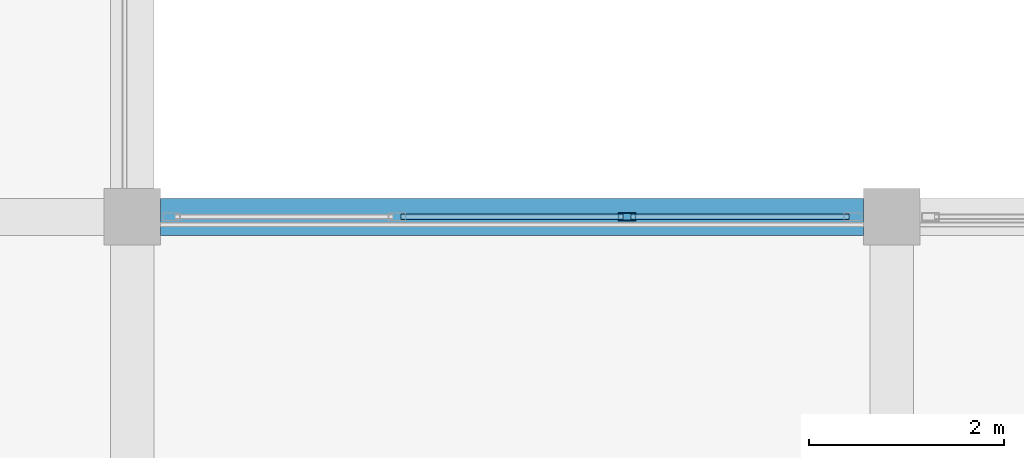
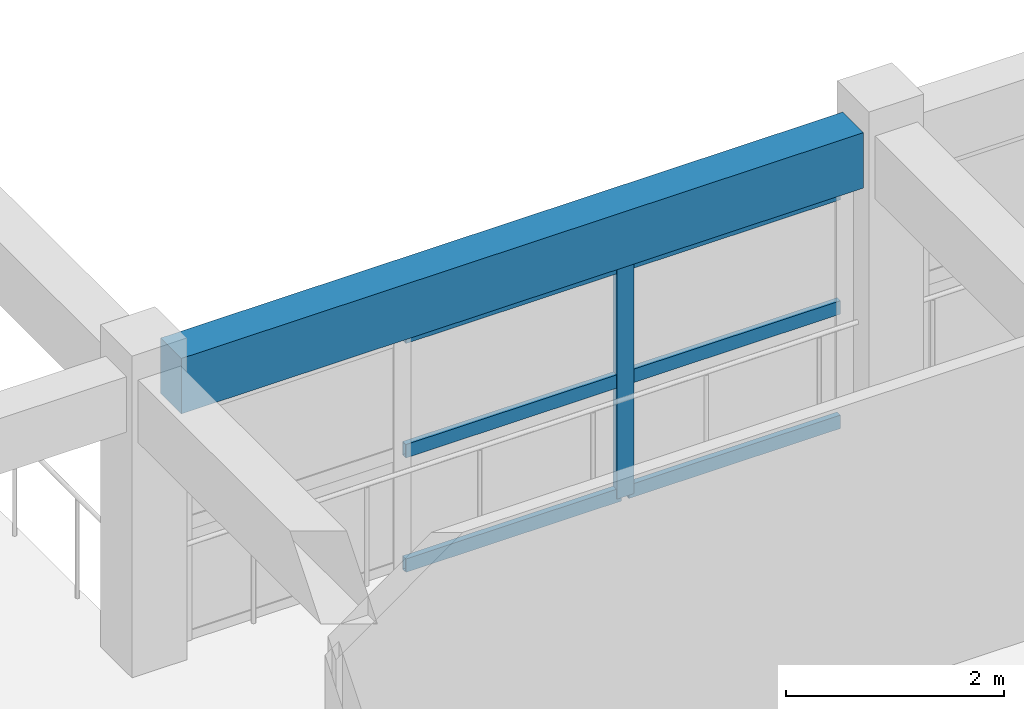
# One storey, part 59 of 101: 7 members, 1 beam, 1 element without a shape of its own.
"""IFC4 building model written with IfcOpenShell, lengths in metres."""

from ifc_helpers import new_model, si_unit, direction, frame, origin, origin_2d, place, context, subcontext, project, spatial, rectangle, hollow_rectangle, extrude, material, layer, layer_set, material_profile, profile_set, type_object, element, aggregate, save


model = new_model("IFC4")

# Units and contexts
model_context = context("Model", 3, precision=1e-05, world=origin(), true_north=direction((0.0, 1.0)))
body_context = subcontext(model_context, "Body", "Model", "MODEL_VIEW")
ifc_project = project(units=[si_unit("LENGTHUNIT", "METRE"), si_unit("AREAUNIT", "SQUARE_METRE"), si_unit("VOLUMEUNIT", "CUBIC_METRE"), si_unit("PLANEANGLEUNIT", "RADIAN"), si_unit("MASSUNIT", "GRAM", prefix="KILO")], contexts=[model_context])

# Site, building, storey
site_placement = place(None, origin())
site = spatial("IfcSite", under=ifc_project, at=site_placement, CompositionType="ELEMENT")
building_placement = place(site_placement, origin())
building = spatial("IfcBuilding", under=site, at=building_placement, Name="Zizhar Promenade General Hospital", CompositionType="ELEMENT")
storey_placement = place(building_placement, frame((0.0, 0.0, 14.39990234375)))
storey = spatial("IfcBuildingStorey", under=building, at=storey_placement, Name="L03", CompositionType="ELEMENT", Elevation=14.39990234375)

# Beam
ifc_material_1 = material(Name="Concrete C35/45", Category="concrete")
ifc_material_profile_1 = material_profile(ifc_material_1, rectangle(XDim=0.3798828125, YDim=0.6201171875, at=origin_2d()))
ifc_profile_set_1 = profile_set([ifc_material_profile_1], Name="Concrete C35/45")
beam_type = type_object("IfcBeamType", Name="BM-RC-380x620", PredefinedType="JOIST", material=ifc_profile_set_1)
beam_placement = place(storey_placement, frame((148.489990234375, 67.199951171875, 3.0), z_axis=(1.0, 0.0, 0.0), x_axis=(0.0, 1.0, 0.0)))
element("IfcBeam", 1, at=beam_placement, inside=storey, type_object=beam_type, Name="Grid Beam X L03 (19-8)", PredefinedType="JOIST", context=body_context, shape_type="SweptSolid", body=[
    extrude(rectangle(XDim=0.3798828125, YDim=0.6201171875, at=origin_2d()), origin(), (0.0, 0.0, 1.0), 7.219970703125),
])

# Curtain wall, members
ifc_material_2 = material(Name="Anodised aluminium 6063-T6 and low-E glass", Category="aluminium")
ifc_layer = layer(ifc_material_2, 0.159912109375)
ifc_layer_set = layer_set([ifc_layer], Name="Anodised aluminium 6063-T6 and low-E glass")
curtain_wall_type = type_object("IfcCurtainWallType", Name="CW-CLN-CRT", PredefinedType="NOTDEFINED", material=ifc_layer_set)
curtain_wall_placement = place(storey_placement, origin())
curtain_wall = element("IfcCurtainWall", 2, at=curtain_wall_placement, inside=storey, type_object=curtain_wall_type, Name="East Light Court South Glazing L03-19", PredefinedType="NOTDEFINED")
ifc_material_3 = material(Name="Anodised aluminium 6063-T6", Category="aluminium")
ifc_material_profile_2 = material_profile(ifc_material_3, hollow_rectangle(XDim=0.080078125, YDim=0.179931640625, WallThickness=0.0048828125, at=origin_2d()))
ifc_profile_set_2 = profile_set([ifc_material_profile_2], Name="Anodised aluminium 6063-T6")
member_type_1 = type_object("IfcMemberType", Name="CWM-ALU-180x80", PredefinedType="MULLION", material=ifc_profile_set_2)
member_1_placement = place(storey_placement, frame((153.280029296875, 67.199951171875, 0.0), z_axis=(0.0, 0.0, 1.0), x_axis=(0.0, 1.0, 0.0)))
member_1 = element("IfcMember", 3, at=member_1_placement, type_object=member_type_1, Name="CW-10 mullion 3", PredefinedType="MULLION", context=body_context, shape_type="SweptSolid", body=[
    extrude(hollow_rectangle(XDim=0.080078125, YDim=0.179931640625, WallThickness=0.0048828125, at=origin_2d()), origin(), (0.0, 0.0, 1.0), 2.6201171875),
])
ifc_material_4 = material(Name="Anodised aluminium 6063-T6", Category="aluminium")
ifc_material_profile_3 = material_profile(ifc_material_4, hollow_rectangle(XDim=0.06005859375, YDim=0.14990234375, WallThickness=0.00390625, at=origin_2d()))
ifc_profile_set_3 = profile_set([ifc_material_profile_3], Name="Anodised aluminium 6063-T6")
member_type_2 = type_object("IfcMemberType", Name="CWT-ALU-150x60", PredefinedType="USERDEFINED", material=ifc_profile_set_3)
member_2_placement = place(storey_placement, frame((150.9599609375, 67.199951171875, 0.030029296875), z_axis=(1.0, 0.0, 0.0), x_axis=(0.0, 1.0, 0.0)))
member_2 = element("IfcMember", 4, at=member_2_placement, type_object=member_type_2, Name="CW-10 transom 2.1", ObjectType="TRANSOM", PredefinedType="USERDEFINED", context=body_context, shape_type="SweptSolid", body=[
    extrude(hollow_rectangle(XDim=0.06005859375, YDim=0.14990234375, WallThickness=0.00390625, at=origin_2d()), origin(), (0.0, 0.0, 1.0), 2.280029296875),
])
member_3_placement = place(storey_placement, frame((150.9599609375, 67.199951171875, 1.31005859375), z_axis=(1.0, 0.0, 0.0), x_axis=(0.0, 1.0, 0.0)))
member_3 = element("IfcMember", 5, at=member_3_placement, type_object=member_type_2, Name="CW-10 transom 2.2", ObjectType="TRANSOM", PredefinedType="USERDEFINED", context=body_context, shape_type="SweptSolid", body=[
    extrude(hollow_rectangle(XDim=0.06005859375, YDim=0.14990234375, WallThickness=0.00390625, at=origin_2d()), origin(), (0.0, 0.0, 1.0), 2.280029296875),
])
member_4_placement = place(storey_placement, frame((150.9599609375, 67.199951171875, 2.590087890625), z_axis=(1.0, 0.0, 0.0), x_axis=(0.0, 1.0, 0.0)))
member_4 = element("IfcMember", 6, at=member_4_placement, type_object=member_type_2, Name="CW-10 transom 2.3", ObjectType="TRANSOM", PredefinedType="USERDEFINED", context=body_context, shape_type="SweptSolid", body=[
    extrude(hollow_rectangle(XDim=0.06005859375, YDim=0.14990234375, WallThickness=0.00390625, at=origin_2d()), origin(), (0.0, 0.0, 1.0), 2.280029296875),
])
member_5_placement = place(storey_placement, frame((153.320068359375, 67.199951171875, 0.030029296875), z_axis=(1.0, 0.0, 0.0), x_axis=(0.0, 1.0, 0.0)))
member_5 = element("IfcMember", 7, at=member_5_placement, type_object=member_type_2, Name="CW-10 transom 3.1", ObjectType="TRANSOM", PredefinedType="USERDEFINED", context=body_context, shape_type="SweptSolid", body=[
    extrude(hollow_rectangle(XDim=0.06005859375, YDim=0.14990234375, WallThickness=0.00390625, at=origin_2d()), origin(), (0.0, 0.0, 1.0), 2.239990234375),
])
member_6_placement = place(storey_placement, frame((153.320068359375, 67.199951171875, 1.31005859375), z_axis=(1.0, 0.0, 0.0), x_axis=(0.0, 1.0, 0.0)))
member_6 = element("IfcMember", 8, at=member_6_placement, type_object=member_type_2, Name="CW-10 transom 3.2", ObjectType="TRANSOM", PredefinedType="USERDEFINED", context=body_context, shape_type="SweptSolid", body=[
    extrude(hollow_rectangle(XDim=0.06005859375, YDim=0.14990234375, WallThickness=0.00390625, at=origin_2d()), origin(), (0.0, 0.0, 1.0), 2.239990234375),
])
member_7_placement = place(storey_placement, frame((153.320068359375, 67.199951171875, 2.590087890625), z_axis=(1.0, 0.0, 0.0), x_axis=(0.0, 1.0, 0.0)))
member_7 = element("IfcMember", 9, at=member_7_placement, type_object=member_type_2, Name="CW-10 transom 3.3", ObjectType="TRANSOM", PredefinedType="USERDEFINED", context=body_context, shape_type="SweptSolid", body=[
    extrude(hollow_rectangle(XDim=0.06005859375, YDim=0.14990234375, WallThickness=0.00390625, at=origin_2d()), origin(), (0.0, 0.0, 1.0), 2.239990234375),
])
aggregate(curtain_wall, [member_1, member_2, member_3, member_4, member_5, member_6, member_7])

save(model, "model.ifc")
